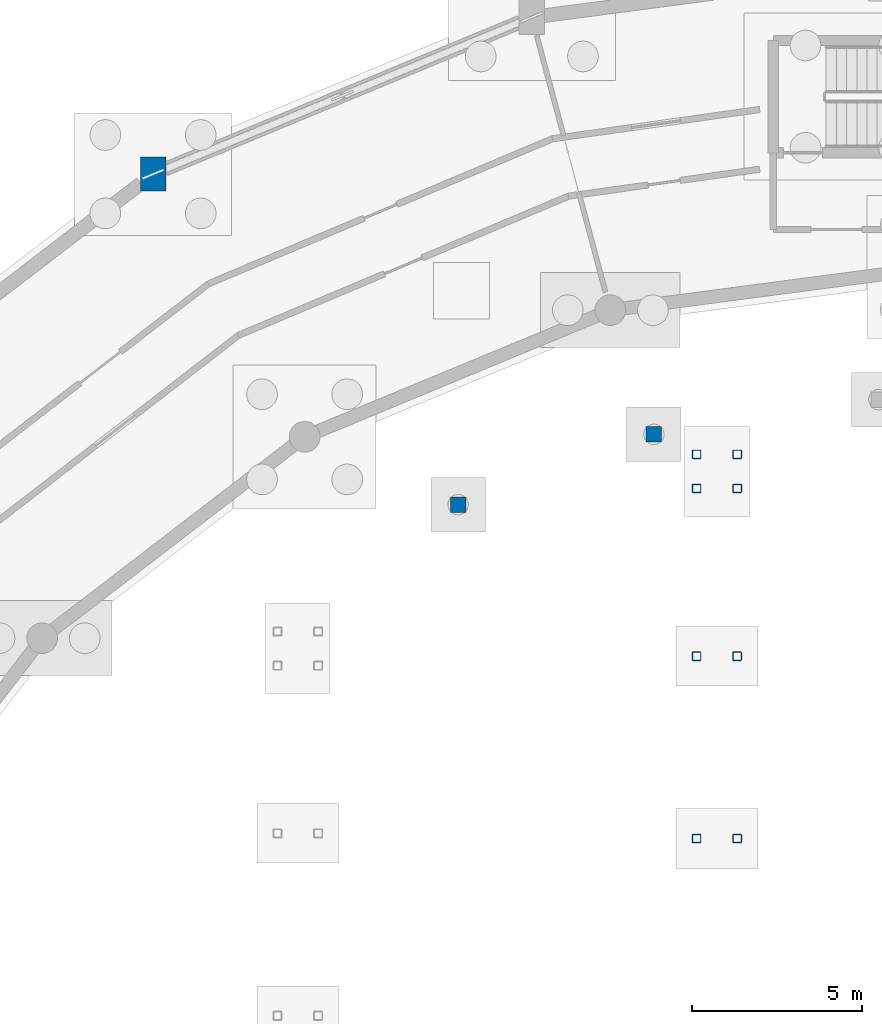
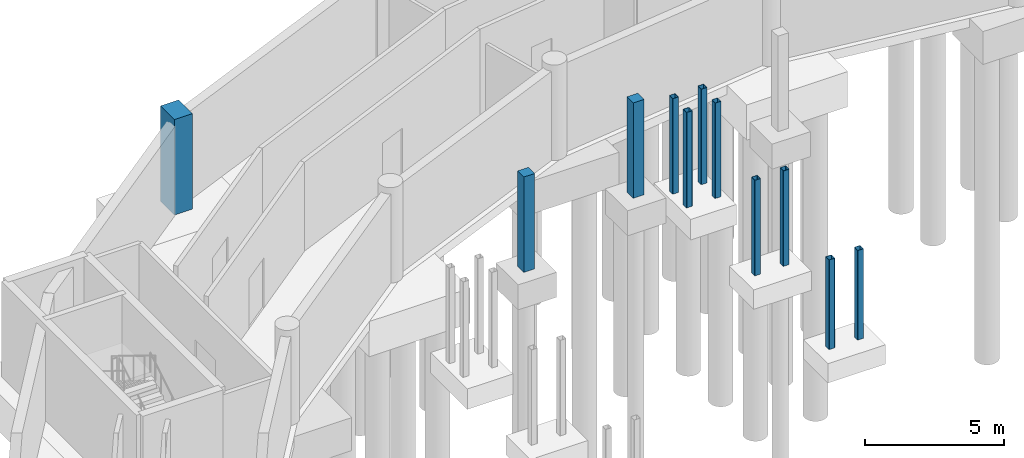
# One storey, part 17 of 43: 11 columns.
"""IFC4 building model written with IfcOpenShell, lengths in metres."""

from ifc_helpers import new_model, si_unit, direction, frame, origin, origin_2d, place, context, subcontext, project, spatial, rectangle, hollow_rectangle, extrude, material, material_profile, profile_set, type_object, element, save


model = new_model("IFC4")

# Units and contexts
model_context = context("Model", 3, precision=1e-05, world=origin(), true_north=direction((0.0, 1.0)))
body_context = subcontext(model_context, "Body", "Model", "MODEL_VIEW")
ifc_project = project(units=[si_unit("LENGTHUNIT", "METRE"), si_unit("AREAUNIT", "SQUARE_METRE"), si_unit("VOLUMEUNIT", "CUBIC_METRE"), si_unit("PLANEANGLEUNIT", "RADIAN"), si_unit("MASSUNIT", "GRAM", prefix="KILO")], contexts=[model_context])

# Site, building, storey
site_placement = place(None, origin())
site = spatial("IfcSite", under=ifc_project, at=site_placement, CompositionType="ELEMENT")
building_placement = place(site_placement, origin())
building = spatial("IfcBuilding", under=site, at=building_placement, Name="Vespera Passage Community Centre", CompositionType="ELEMENT")
storey_placement = place(building_placement, frame((0.0, 0.0, -4.199951171875)))
storey = spatial("IfcBuildingStorey", under=building, at=storey_placement, Name="B1", CompositionType="ELEMENT", Elevation=-4.199951171875)

# Columns
ifc_material_1 = material(Name="Steel ASTM A500 Grade C", Category="steel")
ifc_material_profile_1 = material_profile(ifc_material_1, hollow_rectangle(XDim=0.25390625, YDim=0.25390625, WallThickness=0.01171875, InnerFilletRadius=0.01171875, OuterFilletRadius=0.023681640625, at=origin_2d()), Name="HSS254X254X12.7")
ifc_profile_set_1 = profile_set([ifc_material_profile_1], Name="Steel ASTM A500 Grade C")
column_type_1 = type_object("IfcColumnType", Name="COL-HSS254E", PredefinedType="COLUMN", material=ifc_profile_set_1)
for number, where, z_axis, x_axis, name in (
    (1, (72.094970703125, 85.925048828125, 0.0), (0.0, 0.0, 1.0), (1.0, 0.0, 0.0), "ST-CRT-03 Base Column B1"),
    (2, (70.905029296875, 85.925048828125, 0.0), (0.0, 0.0, 1.0), (1.0, 0.0, 0.0), "ST-CRT-03 Base Column B2"),
):
    element("IfcColumn", number, at=place(storey_placement, frame(where, z_axis=z_axis, x_axis=x_axis)), inside=storey, type_object=column_type_1, Name=name, PredefinedType="COLUMN", context=body_context, shape_type="SweptSolid", body=[
        extrude(hollow_rectangle(XDim=0.25390625, YDim=0.25390625, WallThickness=0.01171875, InnerFilletRadius=0.01171875, OuterFilletRadius=0.023681640625, at=origin_2d()), origin(), (0.0, 0.0, 1.0), 3.93994140625),
    ])
for number, where, z_axis, x_axis, name in (
    (3, (72.094970703125, 91.27490234375, 0.0), (0.0, 0.0, 1.0), (1.0, 0.0, 0.0), "ST-CRT-03 Base Column M1"),
    (4, (70.905029296875, 91.27490234375, 0.0), (0.0, 0.0, 1.0), (1.0, 0.0, 0.0), "ST-CRT-03 Base Column M2"),
    (5, (72.094970703125, 96.199951171875, 0.0), (0.0, 0.0, 1.0), (1.0, 0.0, 0.0), "ST-CRT-03 Base Column T1"),
    (6, (70.905029296875, 96.199951171875, 0.0), (0.0, 0.0, 1.0), (1.0, 0.0, 0.0), "ST-CRT-03 Base Column T2"),
    (7, (72.094970703125, 97.199951171875, 0.0), (0.0, 0.0, 1.0), (1.0, 0.0, 0.0), "ST-CRT-03 Base Column TF1"),
    (8, (70.905029296875, 97.199951171875, 0.0), (0.0, 0.0, 1.0), (1.0, 0.0, 0.0), "ST-CRT-03 Base Column TF2"),
):
    element("IfcColumn", number, at=place(storey_placement, frame(where, z_axis=z_axis, x_axis=x_axis)), inside=storey, type_object=column_type_1, Name=name, PredefinedType="COLUMN", context=body_context, shape_type="SweptSolid", body=[
        extrude(hollow_rectangle(XDim=0.25390625, YDim=0.25390625, WallThickness=0.01171875, InnerFilletRadius=0.01171875, OuterFilletRadius=0.023681640625, at=origin_2d()), origin(), (0.0, 0.0, 1.0), 4.199951171875),
    ])
ifc_material_2 = material(Name="Concrete f'c 45 MPa", Category="concrete")
ifc_material_profile_2 = material_profile(ifc_material_2, rectangle(XDim=0.75, YDim=1.0, at=origin_2d()), Name="RC1000X750")
ifc_profile_set_2 = profile_set([ifc_material_profile_2], Name="Concrete f'c 45 MPa")
column_type_2 = type_object("IfcColumnType", Name="COL-RC1000X750E", PredefinedType="COLUMN", material=ifc_profile_set_2)
column_placement = place(storey_placement, frame((54.949951171875, 105.423828125, 0.0), z_axis=(0.0, 0.0, 1.0), x_axis=(1.0, 0.0, 0.0)))
element("IfcColumn", 9, at=column_placement, inside=storey, type_object=column_type_2, Name="B1 Column V4-O08", PredefinedType="COLUMN", context=body_context, shape_type="SweptSolid", body=[
    extrude(rectangle(XDim=0.75, YDim=1.0, at=origin_2d()), origin(), (0.0, 0.0, 1.0), 4.199951171875),
])
ifc_material_3 = material(Name="Concrete f'c 45 MPa", Category="concrete")
ifc_material_profile_3 = material_profile(ifc_material_3, rectangle(XDim=0.449951171875, YDim=0.449951171875, at=origin_2d()), Name="RC450X450")
ifc_profile_set_3 = profile_set([ifc_material_profile_3], Name="Concrete f'c 45 MPa")
column_type_3 = type_object("IfcColumnType", Name="COL-RC450E", PredefinedType="COLUMN", material=ifc_profile_set_3)
for number, where, z_axis, x_axis, name in (
    (10, (69.64990234375, 97.78759765625, 0.0), (0.0, 0.0, 1.0), (1.0, 0.0, 0.0), "B1 Column CTERR-C02"),
    (11, (63.90576171875, 95.725341796875, 0.0), (0.0, 0.0, 1.0), (1.0, 0.0, 0.0), "B1 Column CTERR-C03"),
):
    element("IfcColumn", number, at=place(storey_placement, frame(where, z_axis=z_axis, x_axis=x_axis)), inside=storey, type_object=column_type_3, Name=name, PredefinedType="COLUMN", context=body_context, shape_type="SweptSolid", body=[
        extrude(rectangle(XDim=0.449951171875, YDim=0.449951171875, at=origin_2d()), origin(), (0.0, 0.0, 1.0), 4.199951171875),
    ])

save(model, "model.ifc")
